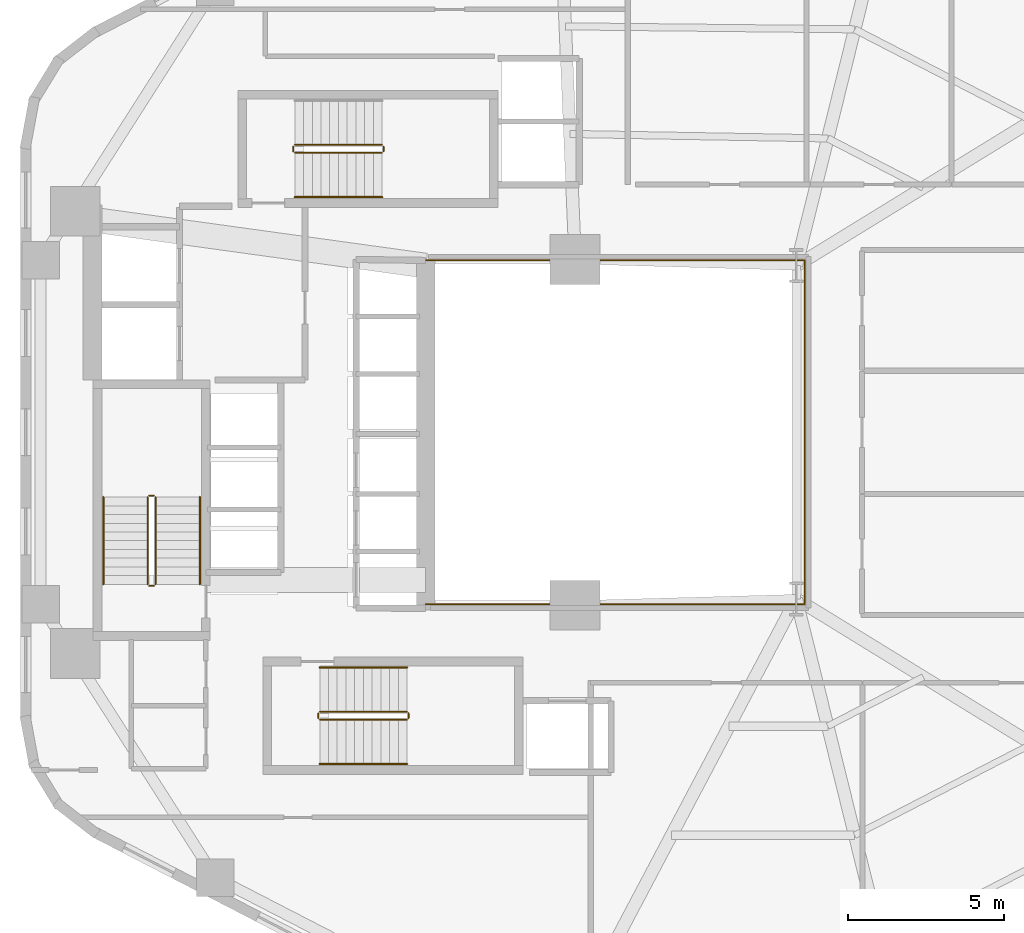
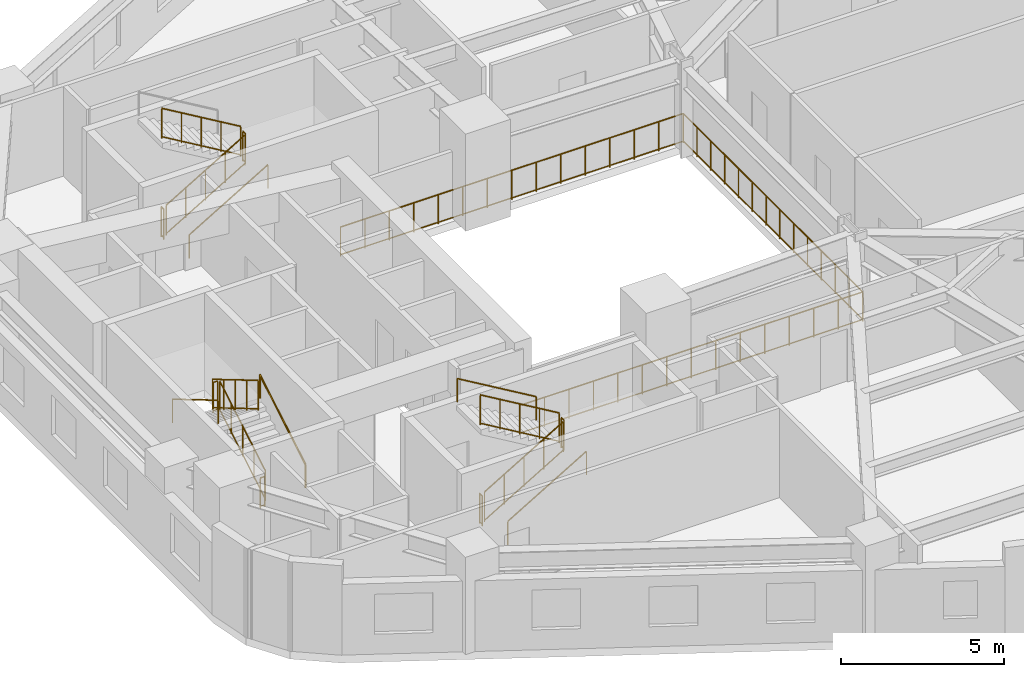
# One storey, part 9 of 10: 18 railings.
"""IFC4 building model written with IfcOpenShell, lengths in metres."""

from ifc_helpers import new_model, si_unit, direction, frame, origin, origin_2d, place, context, subcontext, project, spatial, circle, extrude, material, type_object, element, save


model = new_model("IFC4")

# Units and contexts
model_context = context("Model", 3, precision=1e-05, world=origin(), true_north=direction((0.0, 1.0)))
body_context = subcontext(model_context, "Body", "Model", "MODEL_VIEW")
ifc_project = project(units=[si_unit("LENGTHUNIT", "METRE"), si_unit("AREAUNIT", "SQUARE_METRE"), si_unit("VOLUMEUNIT", "CUBIC_METRE"), si_unit("PLANEANGLEUNIT", "RADIAN"), si_unit("MASSUNIT", "GRAM", prefix="KILO"), si_unit("THERMODYNAMICTEMPERATUREUNIT", "KELVIN"), si_unit("POWERUNIT", "WATT")], contexts=[model_context])

# Site, building, storey
site_placement = place(None, origin())
site = spatial("IfcSite", under=ifc_project, at=site_placement, CompositionType="ELEMENT")
building_placement = place(site_placement, origin())
building = spatial("IfcBuilding", under=site, at=building_placement, Name="Skarre Station Tower", CompositionType="ELEMENT")
storey_placement = place(building_placement, frame((0.0, 0.0, 52.550048828125)))
storey = spatial("IfcBuildingStorey", under=building, at=storey_placement, Name="L13", CompositionType="ELEMENT", Elevation=52.550048828125)

# Railings
ifc_material_1 = material(Name="Bronze Anodized Steel & Laminated Glass Balustrade", Category="steel")
railing_type_1 = type_object("IfcRailingType", Name="Atrium Void & Mezzanine Guard Balustrade 1120", PredefinedType="GUARDRAIL", material=ifc_material_1)
railing_1_placement = place(storey_placement, frame((27.550048828125, 18.47998046875, 0.0)))
element("IfcRailing", 1, at=railing_1_placement, inside=storey, type_object=railing_type_1, Name="L13 Atrium Void Guard Balustrade", PredefinedType="GUARDRAIL", context=body_context, shape_type="SweptSolid", body=[
    extrude(circle(Radius=0.02392578125, at=origin_2d()), frame((0.0, 0.0, 1.09619140625), z_axis=(1.0, 0.0, 0.0), x_axis=(0.0, 1.0, 0.0)), (0.0, 0.0, 1.0), 12.169921875),
    extrude(circle(Radius=0.02099609375, at=origin_2d()), frame((0.0, 0.0, 0.06005859375), z_axis=(1.0, 0.0, 0.0), x_axis=(0.0, 1.0, 0.0)), (0.0, 0.0, 1.0), 12.169921875),
    extrude(circle(Radius=0.02392578125, at=origin_2d()), frame((12.169921875, 0.0, 1.09619140625), z_axis=(0.0, 1.0, 0.0), x_axis=(-1.0, 0.0, 0.0)), (0.0, 0.0, 1.0), 11.0400390625),
    extrude(circle(Radius=0.02099609375, at=origin_2d()), frame((12.169921875, 0.0, 0.06005859375), z_axis=(0.0, 1.0, 0.0), x_axis=(-1.0, 0.0, 0.0)), (0.0, 0.0, 1.0), 11.0400390625),
    extrude(circle(Radius=0.02392578125, at=origin_2d()), frame((12.169921875, 11.0400390625, 1.09619140625), z_axis=(-1.0, 0.0, 0.0), x_axis=(0.0, -1.0, 0.0)), (0.0, 0.0, 1.0), 12.169921875),
    extrude(circle(Radius=0.02099609375, at=origin_2d()), frame((12.169921875, 11.0400390625, 0.06005859375), z_axis=(-1.0, 0.0, 0.0), x_axis=(0.0, -1.0, 0.0)), (0.0, 0.0, 1.0), 12.169921875),
    extrude(circle(Radius=0.02099609375, at=origin_2d()), origin(), (0.0, 0.0, 1.0), 1.072021484375),
    extrude(circle(Radius=0.02099609375, at=origin_2d()), frame((0.869384765625, 0.0, 0.0)), (0.0, 0.0, 1.0), 1.072021484375),
    extrude(circle(Radius=0.02099609375, at=origin_2d()), frame((1.738525390625, 0.0, 0.0)), (0.0, 0.0, 1.0), 1.072021484375),
    extrude(circle(Radius=0.02099609375, at=origin_2d()), frame((2.60791015625, 0.0, 0.0)), (0.0, 0.0, 1.0), 1.072021484375),
    extrude(circle(Radius=0.02099609375, at=origin_2d()), frame((3.47705078125, 0.0, 0.0)), (0.0, 0.0, 1.0), 1.072021484375),
    extrude(circle(Radius=0.02099609375, at=origin_2d()), frame((4.346435546875, 0.0, 0.0)), (0.0, 0.0, 1.0), 1.072021484375),
    extrude(circle(Radius=0.02099609375, at=origin_2d()), frame((5.215576171875, 0.0, 0.0)), (0.0, 0.0, 1.0), 1.072021484375),
    extrude(circle(Radius=0.02099609375, at=origin_2d()), frame((6.0849609375, 0.0, 0.0)), (0.0, 0.0, 1.0), 1.072021484375),
    extrude(circle(Radius=0.02099609375, at=origin_2d()), frame((6.954345703125, 0.0, 0.0)), (0.0, 0.0, 1.0), 1.072021484375),
    extrude(circle(Radius=0.02099609375, at=origin_2d()), frame((7.823486328125, 0.0, 0.0)), (0.0, 0.0, 1.0), 1.072021484375),
    extrude(circle(Radius=0.02099609375, at=origin_2d()), frame((8.69287109375, 0.0, 0.0)), (0.0, 0.0, 1.0), 1.072021484375),
    extrude(circle(Radius=0.02099609375, at=origin_2d()), frame((9.56201171875, 0.0, 0.0)), (0.0, 0.0, 1.0), 1.072021484375),
    extrude(circle(Radius=0.02099609375, at=origin_2d()), frame((10.431396484375, 0.0, 0.0)), (0.0, 0.0, 1.0), 1.072021484375),
    extrude(circle(Radius=0.02099609375, at=origin_2d()), frame((11.300537109375, 0.0, 0.0)), (0.0, 0.0, 1.0), 1.072021484375),
    extrude(circle(Radius=0.02099609375, at=origin_2d()), frame((12.169921875, 0.0, 0.0)), (0.0, 0.0, 1.0), 1.072021484375),
    extrude(circle(Radius=0.02099609375, at=origin_2d()), frame((12.169921875, 0.84912109375, 0.0)), (0.0, 0.0, 1.0), 1.072021484375),
    extrude(circle(Radius=0.02099609375, at=origin_2d()), frame((12.169921875, 1.698486328125, 0.0)), (0.0, 0.0, 1.0), 1.072021484375),
    extrude(circle(Radius=0.02099609375, at=origin_2d()), frame((12.169921875, 2.547607421875, 0.0)), (0.0, 0.0, 1.0), 1.072021484375),
    extrude(circle(Radius=0.02099609375, at=origin_2d()), frame((12.169921875, 3.39697265625, 0.0)), (0.0, 0.0, 1.0), 1.072021484375),
    extrude(circle(Radius=0.02099609375, at=origin_2d()), frame((12.169921875, 4.24609375, 0.0)), (0.0, 0.0, 1.0), 1.072021484375),
    extrude(circle(Radius=0.02099609375, at=origin_2d()), frame((12.169921875, 5.095458984375, 0.0)), (0.0, 0.0, 1.0), 1.072021484375),
    extrude(circle(Radius=0.02099609375, at=origin_2d()), frame((12.169921875, 5.944580078125, 0.0)), (0.0, 0.0, 1.0), 1.072021484375),
    extrude(circle(Radius=0.02099609375, at=origin_2d()), frame((12.169921875, 6.7939453125, 0.0)), (0.0, 0.0, 1.0), 1.072021484375),
    extrude(circle(Radius=0.02099609375, at=origin_2d()), frame((12.169921875, 7.64306640625, 0.0)), (0.0, 0.0, 1.0), 1.072021484375),
    extrude(circle(Radius=0.02099609375, at=origin_2d()), frame((12.169921875, 8.492431640625, 0.0)), (0.0, 0.0, 1.0), 1.072021484375),
    extrude(circle(Radius=0.02099609375, at=origin_2d()), frame((12.169921875, 9.341552734375, 0.0)), (0.0, 0.0, 1.0), 1.072021484375),
    extrude(circle(Radius=0.02099609375, at=origin_2d()), frame((12.169921875, 10.19091796875, 0.0)), (0.0, 0.0, 1.0), 1.072021484375),
    extrude(circle(Radius=0.02099609375, at=origin_2d()), frame((12.169921875, 11.0400390625, 0.0)), (0.0, 0.0, 1.0), 1.072021484375),
    extrude(circle(Radius=0.02099609375, at=origin_2d()), frame((11.300537109375, 11.0400390625, 0.0)), (0.0, 0.0, 1.0), 1.072021484375),
    extrude(circle(Radius=0.02099609375, at=origin_2d()), frame((10.431396484375, 11.0400390625, 0.0)), (0.0, 0.0, 1.0), 1.072021484375),
    extrude(circle(Radius=0.02099609375, at=origin_2d()), frame((9.56201171875, 11.0400390625, 0.0)), (0.0, 0.0, 1.0), 1.072021484375),
    extrude(circle(Radius=0.02099609375, at=origin_2d()), frame((8.69287109375, 11.0400390625, 0.0)), (0.0, 0.0, 1.0), 1.072021484375),
    extrude(circle(Radius=0.02099609375, at=origin_2d()), frame((7.823486328125, 11.0400390625, 0.0)), (0.0, 0.0, 1.0), 1.072021484375),
    extrude(circle(Radius=0.02099609375, at=origin_2d()), frame((6.954345703125, 11.0400390625, 0.0)), (0.0, 0.0, 1.0), 1.072021484375),
    extrude(circle(Radius=0.02099609375, at=origin_2d()), frame((6.0849609375, 11.0400390625, 0.0)), (0.0, 0.0, 1.0), 1.072021484375),
    extrude(circle(Radius=0.02099609375, at=origin_2d()), frame((5.215576171875, 11.0400390625, 0.0)), (0.0, 0.0, 1.0), 1.072021484375),
    extrude(circle(Radius=0.02099609375, at=origin_2d()), frame((4.346435546875, 11.0400390625, 0.0)), (0.0, 0.0, 1.0), 1.072021484375),
    extrude(circle(Radius=0.02099609375, at=origin_2d()), frame((3.47705078125, 11.0400390625, 0.0)), (0.0, 0.0, 1.0), 1.072021484375),
    extrude(circle(Radius=0.02099609375, at=origin_2d()), frame((2.60791015625, 11.0400390625, 0.0)), (0.0, 0.0, 1.0), 1.072021484375),
    extrude(circle(Radius=0.02099609375, at=origin_2d()), frame((1.738525390625, 11.0400390625, 0.0)), (0.0, 0.0, 1.0), 1.072021484375),
    extrude(circle(Radius=0.02099609375, at=origin_2d()), frame((0.869384765625, 11.0400390625, 0.0)), (0.0, 0.0, 1.0), 1.072021484375),
    extrude(circle(Radius=0.02099609375, at=origin_2d()), frame((0.0, 11.0400390625, 0.0)), (0.0, 0.0, 1.0), 1.072021484375),
])
ifc_material_2 = material(Name="Powder-Coated Tubular Steel", Category="steel")
railing_type_2 = type_object("IfcRailingType", Name="Painted Steel Ramp & Stair Handrail 920", PredefinedType="HANDRAIL", material=ifc_material_2)
railing_2_placement = place(storey_placement, frame((20.300048828125, 19.1201171875, 0.165771484375)))
element("IfcRailing", 2, at=railing_2_placement, inside=storey, type_object=railing_type_2, Name="L13 ST-1 stair handrail 1", PredefinedType="HANDRAIL", context=body_context, shape_type="SweptSolid", body=[
    extrude(circle(Radius=0.02392578125, at=origin_2d()), frame((0.0, 0.0, 0.8759765625), z_axis=(0.0, 0.860286659441, 0.509810615413), x_axis=(-1.0, 0.0, 0.0)), (0.0, 0.0, 1.0), 3.25439453125),
    extrude(circle(Radius=0.02099609375, at=origin_2d()), origin(), (0.0, 0.0, 1.0), 0.851806640625),
    extrude(circle(Radius=0.02099609375, at=origin_2d()), frame((0.0, 2.7998046875, 1.6591796875)), (0.0, 0.0, 1.0), 0.851806640625),
])
railing_3_placement = place(storey_placement, frame((17.199951171875, 21.919921875, 1.990966796875)))
element("IfcRailing", 3, at=railing_3_placement, inside=storey, type_object=railing_type_2, Name="L13 ST-1 stair handrail 2", PredefinedType="HANDRAIL", context=body_context, shape_type="SweptSolid", body=[
    extrude(circle(Radius=0.02392578125, at=origin_2d()), frame((0.0, 0.0, 0.8759765625), z_axis=(0.0, -0.860319559791, 0.509755093197), x_axis=(1.0, 0.0, 0.0)), (0.0, 0.0, 1.0), 3.25439453125),
    extrude(circle(Radius=0.02099609375, at=origin_2d()), origin(), (0.0, 0.0, 1.0), 0.851806640625),
    extrude(circle(Radius=0.02099609375, at=origin_2d()), frame((0.0, -2.7998046875, 1.658935546875)), (0.0, 0.0, 1.0), 0.851806640625),
])
railing_4_placement = place(storey_placement, frame((24.14990234375, 13.35009765625, 0.165771484375)))
element("IfcRailing", 4, at=railing_4_placement, inside=storey, type_object=railing_type_2, Name="L13 ST-2 stair handrail 1", PredefinedType="HANDRAIL", context=body_context, shape_type="SweptSolid", body=[
    extrude(circle(Radius=0.02392578125, at=origin_2d()), frame((0.0, 0.0, 0.8759765625), z_axis=(0.860306154799, 0.0, 0.50977771628), x_axis=(0.0, 1.0, 0.0)), (0.0, 0.0, 1.0), 3.254638671875),
    extrude(circle(Radius=0.02099609375, at=origin_2d()), origin(), (0.0, 0.0, 1.0), 0.851806640625),
    extrude(circle(Radius=0.02099609375, at=origin_2d()), frame((2.800048828125, 0.0, 1.6591796875)), (0.0, 0.0, 1.0), 0.851806640625),
])
railing_5_placement = place(storey_placement, frame((26.949951171875, 16.449951171875, 1.990966796875)))
element("IfcRailing", 5, at=railing_5_placement, inside=storey, type_object=railing_type_2, Name="L13 ST-2 stair handrail 2", PredefinedType="HANDRAIL", context=body_context, shape_type="SweptSolid", body=[
    extrude(circle(Radius=0.02392578125, at=origin_2d()), frame((0.0, 0.0, 0.8759765625), z_axis=(-0.860339051648, 0.0, 0.50972219513), x_axis=(0.0, -1.0, 0.0)), (0.0, 0.0, 1.0), 3.254638671875),
    extrude(circle(Radius=0.02099609375, at=origin_2d()), origin(), (0.0, 0.0, 1.0), 0.851806640625),
    extrude(circle(Radius=0.02099609375, at=origin_2d()), frame((-2.800048828125, 0.0, 1.658935546875)), (0.0, 0.0, 1.0), 0.851806640625),
])
railing_6_placement = place(storey_placement, frame((23.35009765625, 31.550048828125, 0.165771484375)))
element("IfcRailing", 6, at=railing_6_placement, inside=storey, type_object=railing_type_2, Name="L13 ST-3 stair handrail 1", PredefinedType="HANDRAIL", context=body_context, shape_type="SweptSolid", body=[
    extrude(circle(Radius=0.02392578125, at=origin_2d()), frame((0.0, 0.0, 0.8759765625), z_axis=(0.860286659441, 0.0, 0.509810615413), x_axis=(0.0, 1.0, 0.0)), (0.0, 0.0, 1.0), 3.25439453125),
    extrude(circle(Radius=0.02099609375, at=origin_2d()), origin(), (0.0, 0.0, 1.0), 0.851806640625),
    extrude(circle(Radius=0.02099609375, at=origin_2d()), frame((2.7998046875, 0.0, 1.6591796875)), (0.0, 0.0, 1.0), 0.851806640625),
])
railing_type_3 = type_object("IfcRailingType", Name="Painted Steel Stairwell Guardrail 1100", PredefinedType="GUARDRAIL", material=ifc_material_2)
railing_7_placement = place(storey_placement, frame((18.8798828125, 19.1201171875, 0.165771484375)))
element("IfcRailing", 7, at=railing_7_placement, inside=storey, type_object=railing_type_3, Name="L13 ST-1 stair guard 1", PredefinedType="GUARDRAIL", context=body_context, shape_type="SweptSolid", body=[
    extrude(circle(Radius=0.02392578125, at=origin_2d()), frame((0.0, 0.0, 1.1259765625), z_axis=(0.0, 0.860286659441, 0.509810615413), x_axis=(-1.0, 0.0, 0.0)), (0.0, 0.0, 1.0), 3.25439453125),
    extrude(circle(Radius=0.02099609375, at=origin_2d()), frame((0.0, 0.0, 0.06005859375), z_axis=(0.0, 0.860286659441, 0.509810615413), x_axis=(-1.0, 0.0, 0.0)), (0.0, 0.0, 1.0), 3.25439453125),
    extrude(circle(Radius=0.02099609375, at=origin_2d()), origin(), (0.0, 0.0, 1.0), 1.101806640625),
    extrude(circle(Radius=0.02099609375, at=origin_2d()), frame((0.0, 0.699951171875, 0.414794921875)), (0.0, 0.0, 1.0), 1.101806640625),
    extrude(circle(Radius=0.02099609375, at=origin_2d()), frame((0.0, 1.39990234375, 0.82958984375)), (0.0, 0.0, 1.0), 1.101806640625),
    extrude(circle(Radius=0.02099609375, at=origin_2d()), frame((0.0, 2.099853515625, 1.244384765625)), (0.0, 0.0, 1.0), 1.101806640625),
    extrude(circle(Radius=0.02099609375, at=origin_2d()), frame((0.0, 2.7998046875, 1.6591796875)), (0.0, 0.0, 1.0), 1.101806640625),
])
railing_8_placement = place(storey_placement, frame((18.830078125, 21.969970703125, 1.824951171875)))
element("IfcRailing", 8, at=railing_8_placement, inside=storey, type_object=railing_type_3, Name="L13 ST-1 stair guard 2", PredefinedType="GUARDRAIL", context=body_context, shape_type="SweptSolid", body=[
    extrude(circle(Radius=0.02392578125, at=origin_2d()), frame((0.0, 0.0, 1.1259765625), z_axis=(-1.0, 0.0, 0.0), x_axis=(0.0, -1.0, 0.0)), (0.0, 0.0, 1.0), 0.16015625),
    extrude(circle(Radius=0.02099609375, at=origin_2d()), frame((0.0, 0.0, 0.06005859375), z_axis=(-1.0, 0.0, 0.0), x_axis=(0.0, -1.0, 0.0)), (0.0, 0.0, 1.0), 0.16015625),
    extrude(circle(Radius=0.02099609375, at=origin_2d()), origin(), (0.0, 0.0, 1.0), 1.101806640625),
    extrude(circle(Radius=0.02099609375, at=origin_2d()), frame((-0.16015625, 0.0, 0.0)), (0.0, 0.0, 1.0), 1.101806640625),
])
railing_9_placement = place(storey_placement, frame((18.6201171875, 21.919921875, 1.990966796875)))
element("IfcRailing", 9, at=railing_9_placement, inside=storey, type_object=railing_type_3, Name="L13 ST-1 stair guard 3", PredefinedType="GUARDRAIL", context=body_context, shape_type="SweptSolid", body=[
    extrude(circle(Radius=0.02392578125, at=origin_2d()), frame((0.0, 0.0, 1.1259765625), z_axis=(0.0, -0.860319559791, 0.509755093197), x_axis=(1.0, 0.0, 0.0)), (0.0, 0.0, 1.0), 3.25439453125),
    extrude(circle(Radius=0.02099609375, at=origin_2d()), frame((0.0, 0.0, 0.06005859375), z_axis=(0.0, -0.860319559791, 0.509755093197), x_axis=(1.0, 0.0, 0.0)), (0.0, 0.0, 1.0), 3.25439453125),
    extrude(circle(Radius=0.02099609375, at=origin_2d()), origin(), (0.0, 0.0, 1.0), 1.101806640625),
    extrude(circle(Radius=0.02099609375, at=origin_2d()), frame((0.0, -0.699951171875, 0.414794921875)), (0.0, 0.0, 1.0), 1.101806640625),
    extrude(circle(Radius=0.02099609375, at=origin_2d()), frame((0.0, -1.39990234375, 0.82958984375)), (0.0, 0.0, 1.0), 1.101806640625),
    extrude(circle(Radius=0.02099609375, at=origin_2d()), frame((0.0, -2.099853515625, 1.244140625)), (0.0, 0.0, 1.0), 1.101806640625),
    extrude(circle(Radius=0.02099609375, at=origin_2d()), frame((0.0, -2.7998046875, 1.658935546875)), (0.0, 0.0, 1.0), 1.101806640625),
])
railing_10_placement = place(storey_placement, frame((18.830078125, 19.070068359375, 0.0)))
element("IfcRailing", 10, at=railing_10_placement, inside=storey, type_object=railing_type_3, Name="L13 ST-1 stair guard 4", PredefinedType="GUARDRAIL", context=body_context, shape_type="SweptSolid", body=[
    extrude(circle(Radius=0.02392578125, at=origin_2d()), frame((0.0, 0.0, 1.1259765625), z_axis=(-1.0, 0.0, 0.0), x_axis=(0.0, -1.0, 0.0)), (0.0, 0.0, 1.0), 0.16015625),
    extrude(circle(Radius=0.02099609375, at=origin_2d()), frame((0.0, 0.0, 0.06005859375), z_axis=(-1.0, 0.0, 0.0), x_axis=(0.0, -1.0, 0.0)), (0.0, 0.0, 1.0), 0.16015625),
    extrude(circle(Radius=0.02099609375, at=origin_2d()), origin(), (0.0, 0.0, 1.0), 1.101806640625),
    extrude(circle(Radius=0.02099609375, at=origin_2d()), frame((-0.16015625, 0.0, 0.0)), (0.0, 0.0, 1.0), 1.101806640625),
])
railing_11_placement = place(storey_placement, frame((24.14990234375, 14.77001953125, 0.165771484375)))
element("IfcRailing", 11, at=railing_11_placement, inside=storey, type_object=railing_type_3, Name="L13 ST-2 stair guard 1", PredefinedType="GUARDRAIL", context=body_context, shape_type="SweptSolid", body=[
    extrude(circle(Radius=0.02392578125, at=origin_2d()), frame((0.0, 0.0, 1.1259765625), z_axis=(0.860306154799, 0.0, 0.50977771628), x_axis=(0.0, 1.0, 0.0)), (0.0, 0.0, 1.0), 3.254638671875),
    extrude(circle(Radius=0.02099609375, at=origin_2d()), frame((0.0, 0.0, 0.06005859375), z_axis=(0.860306154799, 0.0, 0.50977771628), x_axis=(0.0, 1.0, 0.0)), (0.0, 0.0, 1.0), 3.254638671875),
    extrude(circle(Radius=0.02099609375, at=origin_2d()), origin(), (0.0, 0.0, 1.0), 1.101806640625),
    extrude(circle(Radius=0.02099609375, at=origin_2d()), frame((0.699951171875, 0.0, 0.414794921875)), (0.0, 0.0, 1.0), 1.101806640625),
    extrude(circle(Radius=0.02099609375, at=origin_2d()), frame((1.39990234375, 0.0, 0.82958984375)), (0.0, 0.0, 1.0), 1.101806640625),
    extrude(circle(Radius=0.02099609375, at=origin_2d()), frame((2.10009765625, 0.0, 1.244384765625)), (0.0, 0.0, 1.0), 1.101806640625),
    extrude(circle(Radius=0.02099609375, at=origin_2d()), frame((2.800048828125, 0.0, 1.6591796875)), (0.0, 0.0, 1.0), 1.101806640625),
])
railing_12_placement = place(storey_placement, frame((27.0, 14.820068359375, 1.824951171875)))
element("IfcRailing", 12, at=railing_12_placement, inside=storey, type_object=railing_type_3, Name="L13 ST-2 stair guard 2", PredefinedType="GUARDRAIL", context=body_context, shape_type="SweptSolid", body=[
    extrude(circle(Radius=0.02392578125, at=origin_2d()), frame((0.0, 0.0, 1.1259765625), z_axis=(0.0, 1.0, 0.0), x_axis=(-1.0, 0.0, 0.0)), (0.0, 0.0, 1.0), 0.159912109375),
    extrude(circle(Radius=0.02099609375, at=origin_2d()), frame((0.0, 0.0, 0.06005859375), z_axis=(0.0, 1.0, 0.0), x_axis=(-1.0, 0.0, 0.0)), (0.0, 0.0, 1.0), 0.159912109375),
    extrude(circle(Radius=0.02099609375, at=origin_2d()), origin(), (0.0, 0.0, 1.0), 1.101806640625),
    extrude(circle(Radius=0.02099609375, at=origin_2d()), frame((0.0, 0.159912109375, 0.0)), (0.0, 0.0, 1.0), 1.101806640625),
])
railing_13_placement = place(storey_placement, frame((26.949951171875, 15.030029296875, 1.990966796875)))
element("IfcRailing", 13, at=railing_13_placement, inside=storey, type_object=railing_type_3, Name="L13 ST-2 stair guard 3", PredefinedType="GUARDRAIL", context=body_context, shape_type="SweptSolid", body=[
    extrude(circle(Radius=0.02392578125, at=origin_2d()), frame((0.0, 0.0, 1.1259765625), z_axis=(-0.860339051648, 0.0, 0.50972219513), x_axis=(0.0, -1.0, 0.0)), (0.0, 0.0, 1.0), 3.254638671875),
    extrude(circle(Radius=0.02099609375, at=origin_2d()), frame((0.0, 0.0, 0.06005859375), z_axis=(-0.860339051648, 0.0, 0.50972219513), x_axis=(0.0, -1.0, 0.0)), (0.0, 0.0, 1.0), 3.254638671875),
    extrude(circle(Radius=0.02099609375, at=origin_2d()), origin(), (0.0, 0.0, 1.0), 1.101806640625),
    extrude(circle(Radius=0.02099609375, at=origin_2d()), frame((-0.699951171875, 0.0, 0.414794921875)), (0.0, 0.0, 1.0), 1.101806640625),
    extrude(circle(Radius=0.02099609375, at=origin_2d()), frame((-1.39990234375, 0.0, 0.82958984375)), (0.0, 0.0, 1.0), 1.101806640625),
    extrude(circle(Radius=0.02099609375, at=origin_2d()), frame((-2.10009765625, 0.0, 1.244140625)), (0.0, 0.0, 1.0), 1.101806640625),
    extrude(circle(Radius=0.02099609375, at=origin_2d()), frame((-2.800048828125, 0.0, 1.658935546875)), (0.0, 0.0, 1.0), 1.101806640625),
])
railing_14_placement = place(storey_placement, frame((24.10009765625, 14.820068359375, 0.0)))
element("IfcRailing", 14, at=railing_14_placement, inside=storey, type_object=railing_type_3, Name="L13 ST-2 stair guard 4", PredefinedType="GUARDRAIL", context=body_context, shape_type="SweptSolid", body=[
    extrude(circle(Radius=0.02392578125, at=origin_2d()), frame((0.0, 0.0, 1.1259765625), z_axis=(0.0, 1.0, 0.0), x_axis=(-1.0, 0.0, 0.0)), (0.0, 0.0, 1.0), 0.159912109375),
    extrude(circle(Radius=0.02099609375, at=origin_2d()), frame((0.0, 0.0, 0.06005859375), z_axis=(0.0, 1.0, 0.0), x_axis=(-1.0, 0.0, 0.0)), (0.0, 0.0, 1.0), 0.159912109375),
    extrude(circle(Radius=0.02099609375, at=origin_2d()), origin(), (0.0, 0.0, 1.0), 1.101806640625),
    extrude(circle(Radius=0.02099609375, at=origin_2d()), frame((0.0, 0.159912109375, 0.0)), (0.0, 0.0, 1.0), 1.101806640625),
])
railing_15_placement = place(storey_placement, frame((23.35009765625, 32.969970703125, 0.165771484375)))
element("IfcRailing", 15, at=railing_15_placement, inside=storey, type_object=railing_type_3, Name="L13 ST-3 stair guard 1", PredefinedType="GUARDRAIL", context=body_context, shape_type="SweptSolid", body=[
    extrude(circle(Radius=0.02392578125, at=origin_2d()), frame((0.0, 0.0, 1.1259765625), z_axis=(0.860286659441, 0.0, 0.509810615413), x_axis=(0.0, 1.0, 0.0)), (0.0, 0.0, 1.0), 3.25439453125),
    extrude(circle(Radius=0.02099609375, at=origin_2d()), frame((0.0, 0.0, 0.06005859375), z_axis=(0.860286659441, 0.0, 0.509810615413), x_axis=(0.0, 1.0, 0.0)), (0.0, 0.0, 1.0), 3.25439453125),
    extrude(circle(Radius=0.02099609375, at=origin_2d()), origin(), (0.0, 0.0, 1.0), 1.101806640625),
    extrude(circle(Radius=0.02099609375, at=origin_2d()), frame((0.699951171875, 0.0, 0.414794921875)), (0.0, 0.0, 1.0), 1.101806640625),
    extrude(circle(Radius=0.02099609375, at=origin_2d()), frame((1.39990234375, 0.0, 0.82958984375)), (0.0, 0.0, 1.0), 1.101806640625),
    extrude(circle(Radius=0.02099609375, at=origin_2d()), frame((2.099853515625, 0.0, 1.244384765625)), (0.0, 0.0, 1.0), 1.101806640625),
    extrude(circle(Radius=0.02099609375, at=origin_2d()), frame((2.7998046875, 0.0, 1.6591796875)), (0.0, 0.0, 1.0), 1.101806640625),
])
railing_16_placement = place(storey_placement, frame((26.199951171875, 33.02001953125, 1.824951171875)))
element("IfcRailing", 16, at=railing_16_placement, inside=storey, type_object=railing_type_3, Name="L13 ST-3 stair guard 2", PredefinedType="GUARDRAIL", context=body_context, shape_type="SweptSolid", body=[
    extrude(circle(Radius=0.02392578125, at=origin_2d()), frame((0.0, 0.0, 1.1259765625), z_axis=(0.0, 1.0, 0.0), x_axis=(-1.0, 0.0, 0.0)), (0.0, 0.0, 1.0), 0.159912109375),
    extrude(circle(Radius=0.02099609375, at=origin_2d()), frame((0.0, 0.0, 0.06005859375), z_axis=(0.0, 1.0, 0.0), x_axis=(-1.0, 0.0, 0.0)), (0.0, 0.0, 1.0), 0.159912109375),
    extrude(circle(Radius=0.02099609375, at=origin_2d()), origin(), (0.0, 0.0, 1.0), 1.101806640625),
    extrude(circle(Radius=0.02099609375, at=origin_2d()), frame((0.0, 0.159912109375, 0.0)), (0.0, 0.0, 1.0), 1.101806640625),
])
railing_17_placement = place(storey_placement, frame((26.14990234375, 33.22998046875, 1.990966796875)))
element("IfcRailing", 17, at=railing_17_placement, inside=storey, type_object=railing_type_3, Name="L13 ST-3 stair guard 3", PredefinedType="GUARDRAIL", context=body_context, shape_type="SweptSolid", body=[
    extrude(circle(Radius=0.02392578125, at=origin_2d()), frame((0.0, 0.0, 1.1259765625), z_axis=(-0.860319559791, 0.0, 0.509755093197), x_axis=(0.0, -1.0, 0.0)), (0.0, 0.0, 1.0), 3.25439453125),
    extrude(circle(Radius=0.02099609375, at=origin_2d()), frame((0.0, 0.0, 0.06005859375), z_axis=(-0.860319559791, 0.0, 0.509755093197), x_axis=(0.0, -1.0, 0.0)), (0.0, 0.0, 1.0), 3.25439453125),
    extrude(circle(Radius=0.02099609375, at=origin_2d()), origin(), (0.0, 0.0, 1.0), 1.101806640625),
    extrude(circle(Radius=0.02099609375, at=origin_2d()), frame((-0.699951171875, 0.0, 0.414794921875)), (0.0, 0.0, 1.0), 1.101806640625),
    extrude(circle(Radius=0.02099609375, at=origin_2d()), frame((-1.39990234375, 0.0, 0.82958984375)), (0.0, 0.0, 1.0), 1.101806640625),
    extrude(circle(Radius=0.02099609375, at=origin_2d()), frame((-2.099853515625, 0.0, 1.244140625)), (0.0, 0.0, 1.0), 1.101806640625),
    extrude(circle(Radius=0.02099609375, at=origin_2d()), frame((-2.7998046875, 0.0, 1.658935546875)), (0.0, 0.0, 1.0), 1.101806640625),
])
railing_18_placement = place(storey_placement, frame((23.300048828125, 33.02001953125, 0.0)))
element("IfcRailing", 18, at=railing_18_placement, inside=storey, type_object=railing_type_3, Name="L13 ST-3 stair guard 4", PredefinedType="GUARDRAIL", context=body_context, shape_type="SweptSolid", body=[
    extrude(circle(Radius=0.02392578125, at=origin_2d()), frame((0.0, 0.0, 1.1259765625), z_axis=(0.0, 1.0, 0.0), x_axis=(-1.0, 0.0, 0.0)), (0.0, 0.0, 1.0), 0.159912109375),
    extrude(circle(Radius=0.02099609375, at=origin_2d()), frame((0.0, 0.0, 0.06005859375), z_axis=(0.0, 1.0, 0.0), x_axis=(-1.0, 0.0, 0.0)), (0.0, 0.0, 1.0), 0.159912109375),
    extrude(circle(Radius=0.02099609375, at=origin_2d()), origin(), (0.0, 0.0, 1.0), 1.101806640625),
    extrude(circle(Radius=0.02099609375, at=origin_2d()), frame((0.0, 0.159912109375, 0.0)), (0.0, 0.0, 1.0), 1.101806640625),
])

save(model, "model.ifc")
